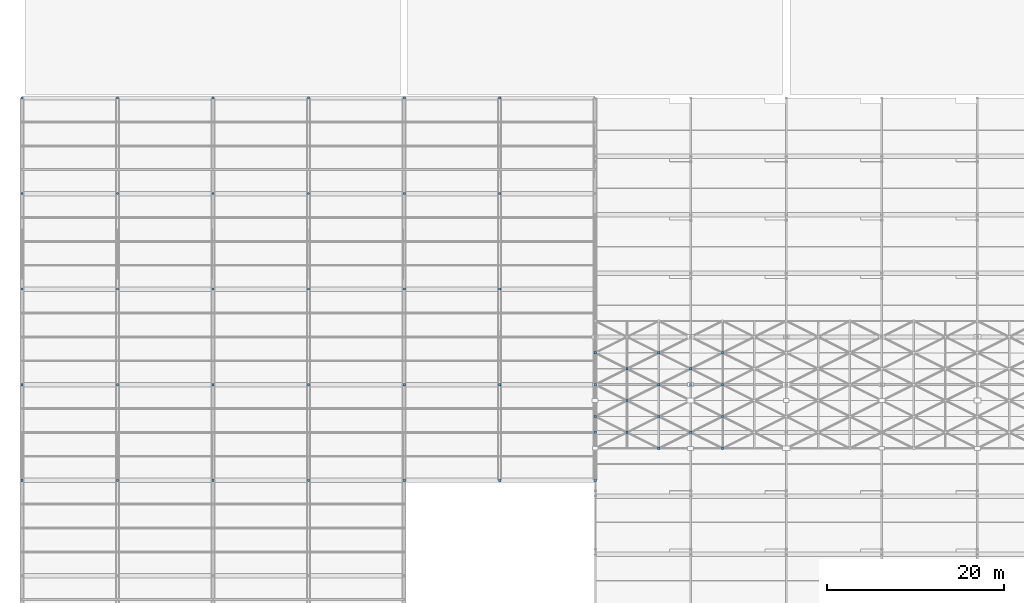
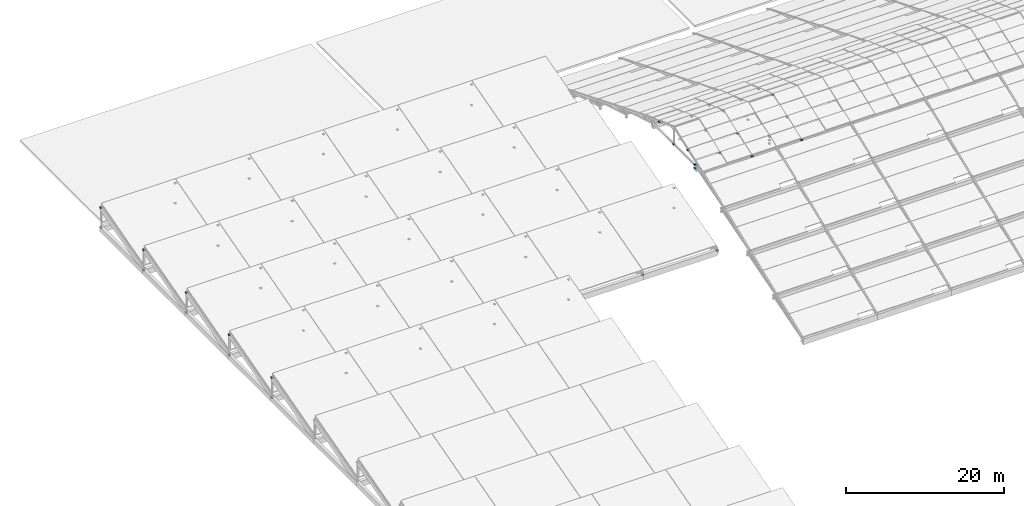
# One storey, part 107 of 112: 83 discrete accessories.
"""IFC4 building model written with IfcOpenShell, lengths in metres."""

from ifc_helpers import new_model, si_unit, direction, frame, origin, origin_2d, place, context, subcontext, project, spatial, rectangle, extrude, material, type_object, element, save


model = new_model("IFC4")

# Units and contexts
model_context = context("Model", 3, precision=1e-05, world=origin(), true_north=direction((0.0, 1.0)))
body_context = subcontext(model_context, "Body", "Model", "MODEL_VIEW")
ifc_project = project(units=[si_unit("LENGTHUNIT", "METRE"), si_unit("AREAUNIT", "SQUARE_METRE"), si_unit("VOLUMEUNIT", "CUBIC_METRE"), si_unit("PLANEANGLEUNIT", "RADIAN"), si_unit("MASSUNIT", "GRAM", prefix="KILO")], contexts=[model_context])

# Site, building, storey
site_placement = place(None, origin())
site = spatial("IfcSite", under=ifc_project, at=site_placement, CompositionType="ELEMENT")
building_placement = place(site_placement, origin())
building = spatial("IfcBuilding", under=site, at=building_placement, Name="Zwinboog Wholesale Market", CompositionType="ELEMENT")
storey_placement = place(building_placement, frame((0.0, 0.0, 19.080078125)))
storey = spatial("IfcBuildingStorey", under=building, at=storey_placement, Name="Roof", CompositionType="ELEMENT", Elevation=19.080078125)

# Discrete accessories
ifc_material = material(Name="Steel S355", Category="steel")
discrete_accessory_type = type_object("IfcDiscreteAccessoryType", Name="ACC-BRK-S355", PredefinedType="BRACKET", material=ifc_material)
for number, where, z_axis, x_axis, name in (
    (1, (64.800048828125, 70.199951171875, 0.14013671875), (0.0, 0.0, 1.0), (1.0, 0.0, 0.0), "BK-01 (ACC-BRC-0015)"),
    (2, (64.800048828125, 70.199951171875, 0.64013671875), (0.0, 0.0, 1.0), (1.0, 0.0, 0.0), "BK-01 (ACC-BRC-0016)"),
    (3, (64.800048828125, 75.60009765625, 0.5400390625), (0.0, 0.0, 1.0), (1.0, 0.0, 0.0), "BK-01 (ACC-BRC-0033)"),
    (4, (75.60009765625, 70.199951171875, 0.14013671875), (0.0, 0.0, 1.0), (1.0, 0.0, 0.0), "BK-01 (ACC-BRC-0048)"),
    (5, (75.60009765625, 70.199951171875, 0.64013671875), (0.0, 0.0, 1.0), (1.0, 0.0, 0.0), "BK-01 (ACC-BRC-0049)"),
    (6, (75.60009765625, 75.60009765625, 0.5400390625), (0.0, 0.0, 1.0), (1.0, 0.0, 0.0), "BK-01 (ACC-BRC-0066)"),
    (7, (68.39990234375, 70.199951171875, 1.1875), (0.0, 0.0, 1.0), (1.0, 0.0, 0.0), "BK-01 (ACC-BRC-0365)"),
    (8, (64.800048828125, 72.0, 1.8251953125), (0.0, 0.0, 1.0), (1.0, 0.0, 0.0), "BK-01 (ACC-BRC-0366)"),
    (9, (68.39990234375, 73.800048828125, 2.46240234375), (0.0, 0.0, 1.0), (1.0, 0.0, 0.0), "BK-01 (ACC-BRC-0367)"),
    (10, (68.39990234375, 77.39990234375, 2.46240234375), (0.0, 0.0, 1.0), (1.0, 0.0, 0.0), "BK-01 (ACC-BRC-0368)"),
    (11, (64.800048828125, 79.199951171875, 1.8251953125), (0.0, 0.0, 1.0), (1.0, 0.0, 0.0), "BK-01 (ACC-BRC-0369)"),
    (12, (72.0, 68.39990234375, 0.5498046875), (0.0, 0.0, 1.0), (1.0, 0.0, 0.0), "BK-01 (ACC-BRC-0372)"),
    (13, (72.0, 72.0, 1.8251953125), (0.0, 0.0, 1.0), (1.0, 0.0, 0.0), "BK-01 (ACC-BRC-0373)"),
    (14, (72.0, 75.60009765625, 3.10009765625), (0.0, 0.0, 1.0), (1.0, 0.0, 0.0), "BK-01 (ACC-BRC-0374)"),
    (15, (72.0, 79.199951171875, 1.8251953125), (0.0, 0.0, 1.0), (1.0, 0.0, 0.0), "BK-01 (ACC-BRC-0375)"),
    (16, (75.60009765625, 70.199951171875, 1.1875), (0.0, 0.0, 1.0), (1.0, 0.0, 0.0), "BK-01 (ACC-BRC-0377)"),
    (17, (75.60009765625, 77.39990234375, 2.46240234375), (0.0, 0.0, 1.0), (1.0, 0.0, 0.0), "BK-01 (ACC-BRC-0378)"),
    (18, (79.199951171875, 68.39990234375, 0.5498046875), (0.0, 0.0, 1.0), (1.0, 0.0, 0.0), "BK-01 (ACC-BRC-0379)"),
    (19, (79.199951171875, 72.0, 1.8251953125), (0.0, 0.0, 1.0), (1.0, 0.0, 0.0), "BK-01 (ACC-BRC-0380)"),
    (20, (79.199951171875, 75.60009765625, 3.10009765625), (0.0, 0.0, 1.0), (1.0, 0.0, 0.0), "BK-01 (ACC-BRC-0381)"),
    (21, (79.199951171875, 79.199951171875, 1.8251953125), (0.0, 0.0, 1.0), (1.0, 0.0, 0.0), "BK-01 (ACC-BRC-0382)"),
    (22, (0.0, 64.800048828125, -9.2802734375), (0.0, 0.0, 1.0), (1.0, 0.0, 0.0), "BK-01 (ACC-BRC-0539)"),
    (23, (0.0, 64.800048828125, -6.20556640625), (0.0, 0.0, 1.0), (1.0, 0.0, 0.0), "BK-01 (ACC-BRC-0540)"),
    (24, (10.800048828125, 64.800048828125, -9.2802734375), (0.0, 0.0, 1.0), (1.0, 0.0, 0.0), "BK-01 (ACC-BRC-0541)"),
    (25, (10.800048828125, 64.800048828125, -6.193359375), (0.0, 0.0, 1.0), (1.0, 0.0, 0.0), "BK-01 (ACC-BRC-0542)"),
    (26, (21.60009765625, 64.800048828125, -9.2802734375), (0.0, 0.0, 1.0), (1.0, 0.0, 0.0), "BK-01 (ACC-BRC-0543)"),
    (27, (21.60009765625, 64.800048828125, -6.20556640625), (0.0, 0.0, 1.0), (1.0, 0.0, 0.0), "BK-01 (ACC-BRC-0544)"),
    (28, (32.39990234375, 64.800048828125, -9.2802734375), (0.0, 0.0, 1.0), (1.0, 0.0, 0.0), "BK-01 (ACC-BRC-0545)"),
    (29, (32.39990234375, 64.800048828125, -6.193359375), (0.0, 0.0, 1.0), (1.0, 0.0, 0.0), "BK-01 (ACC-BRC-0546)"),
    (30, (43.199951171875, 64.800048828125, -9.2802734375), (0.0, 0.0, 1.0), (1.0, 0.0, 0.0), "BK-01 (ACC-BRC-0547)"),
    (31, (43.199951171875, 64.800048828125, -6.193359375), (0.0, 0.0, 1.0), (1.0, 0.0, 0.0), "BK-01 (ACC-BRC-0548)"),
    (32, (0.0, 75.60009765625, -9.2802734375), (0.0, 0.0, 1.0), (1.0, 0.0, 0.0), "BK-01 (ACC-BRC-0549)"),
    (33, (0.0, 75.60009765625, -6.1455078125), (0.0, 0.0, 1.0), (1.0, 0.0, 0.0), "BK-01 (ACC-BRC-0550)"),
    (34, (10.800048828125, 75.60009765625, -9.2802734375), (0.0, 0.0, 1.0), (1.0, 0.0, 0.0), "BK-01 (ACC-BRC-0551)"),
    (35, (10.800048828125, 75.60009765625, -6.13330078125), (0.0, 0.0, 1.0), (1.0, 0.0, 0.0), "BK-01 (ACC-BRC-0552)"),
    (36, (21.60009765625, 75.60009765625, -9.2802734375), (0.0, 0.0, 1.0), (1.0, 0.0, 0.0), "BK-01 (ACC-BRC-0553)"),
    (37, (21.60009765625, 75.60009765625, -6.1455078125), (0.0, 0.0, 1.0), (1.0, 0.0, 0.0), "BK-01 (ACC-BRC-0554)"),
    (38, (32.39990234375, 75.60009765625, -9.2802734375), (0.0, 0.0, 1.0), (1.0, 0.0, 0.0), "BK-01 (ACC-BRC-0555)"),
    (39, (32.39990234375, 75.60009765625, -6.13330078125), (0.0, 0.0, 1.0), (1.0, 0.0, 0.0), "BK-01 (ACC-BRC-0556)"),
    (40, (43.199951171875, 75.60009765625, -9.2802734375), (0.0, 0.0, 1.0), (1.0, 0.0, 0.0), "BK-01 (ACC-BRC-0557)"),
    (41, (43.199951171875, 75.60009765625, -6.13330078125), (0.0, 0.0, 1.0), (1.0, 0.0, 0.0), "BK-01 (ACC-BRC-0558)"),
    (42, (0.0, 86.39990234375, -9.2802734375), (0.0, 0.0, 1.0), (1.0, 0.0, 0.0), "BK-01 (ACC-BRC-0559)"),
    (43, (0.0, 86.39990234375, -6.20556640625), (0.0, 0.0, 1.0), (1.0, 0.0, 0.0), "BK-01 (ACC-BRC-0560)"),
    (44, (10.800048828125, 86.39990234375, -9.2802734375), (0.0, 0.0, 1.0), (1.0, 0.0, 0.0), "BK-01 (ACC-BRC-0561)"),
    (45, (10.800048828125, 86.39990234375, -6.193359375), (0.0, 0.0, 1.0), (1.0, 0.0, 0.0), "BK-01 (ACC-BRC-0562)"),
    (46, (21.60009765625, 86.39990234375, -9.2802734375), (0.0, 0.0, 1.0), (1.0, 0.0, 0.0), "BK-01 (ACC-BRC-0563)"),
    (47, (21.60009765625, 86.39990234375, -6.20556640625), (0.0, 0.0, 1.0), (1.0, 0.0, 0.0), "BK-01 (ACC-BRC-0564)"),
    (48, (32.39990234375, 86.39990234375, -9.2802734375), (0.0, 0.0, 1.0), (1.0, 0.0, 0.0), "BK-01 (ACC-BRC-0565)"),
    (49, (32.39990234375, 86.39990234375, -6.193359375), (0.0, 0.0, 1.0), (1.0, 0.0, 0.0), "BK-01 (ACC-BRC-0566)"),
    (50, (43.199951171875, 86.39990234375, -9.2802734375), (0.0, 0.0, 1.0), (1.0, 0.0, 0.0), "BK-01 (ACC-BRC-0567)"),
    (51, (43.199951171875, 86.39990234375, -6.193359375), (0.0, 0.0, 1.0), (1.0, 0.0, 0.0), "BK-01 (ACC-BRC-0568)"),
    (52, (0.0, 97.199951171875, -9.2802734375), (0.0, 0.0, 1.0), (1.0, 0.0, 0.0), "BK-01 (ACC-BRC-0569)"),
    (53, (0.0, 97.199951171875, -6.1455078125), (0.0, 0.0, 1.0), (1.0, 0.0, 0.0), "BK-01 (ACC-BRC-0570)"),
    (54, (10.800048828125, 97.199951171875, -9.2802734375), (0.0, 0.0, 1.0), (1.0, 0.0, 0.0), "BK-01 (ACC-BRC-0571)"),
    (55, (10.800048828125, 97.199951171875, -6.13330078125), (0.0, 0.0, 1.0), (1.0, 0.0, 0.0), "BK-01 (ACC-BRC-0572)"),
    (56, (21.60009765625, 97.199951171875, -9.2802734375), (0.0, 0.0, 1.0), (1.0, 0.0, 0.0), "BK-01 (ACC-BRC-0573)"),
    (57, (21.60009765625, 97.199951171875, -6.1455078125), (0.0, 0.0, 1.0), (1.0, 0.0, 0.0), "BK-01 (ACC-BRC-0574)"),
    (58, (32.39990234375, 97.199951171875, -9.2802734375), (0.0, 0.0, 1.0), (1.0, 0.0, 0.0), "BK-01 (ACC-BRC-0575)"),
    (59, (32.39990234375, 97.199951171875, -6.13330078125), (0.0, 0.0, 1.0), (1.0, 0.0, 0.0), "BK-01 (ACC-BRC-0576)"),
    (60, (43.199951171875, 97.199951171875, -9.2802734375), (0.0, 0.0, 1.0), (1.0, 0.0, 0.0), "BK-01 (ACC-BRC-0577)"),
    (61, (43.199951171875, 97.199951171875, -6.13330078125), (0.0, 0.0, 1.0), (1.0, 0.0, 0.0), "BK-01 (ACC-BRC-0578)"),
    (62, (0.0, 108.0, -9.2802734375), (0.0, 0.0, 1.0), (1.0, 0.0, 0.0), "BK-01 (ACC-BRC-0579)"),
    (63, (0.0, 108.0, -6.20556640625), (0.0, 0.0, 1.0), (1.0, 0.0, 0.0), "BK-01 (ACC-BRC-0580)"),
    (64, (10.800048828125, 108.0, -9.2802734375), (0.0, 0.0, 1.0), (1.0, 0.0, 0.0), "BK-01 (ACC-BRC-0581)"),
    (65, (10.800048828125, 108.0, -6.193359375), (0.0, 0.0, 1.0), (1.0, 0.0, 0.0), "BK-01 (ACC-BRC-0582)"),
    (66, (21.60009765625, 108.0, -9.2802734375), (0.0, 0.0, 1.0), (1.0, 0.0, 0.0), "BK-01 (ACC-BRC-0583)"),
    (67, (21.60009765625, 108.0, -6.20556640625), (0.0, 0.0, 1.0), (1.0, 0.0, 0.0), "BK-01 (ACC-BRC-0584)"),
    (68, (32.39990234375, 108.0, -9.2802734375), (0.0, 0.0, 1.0), (1.0, 0.0, 0.0), "BK-01 (ACC-BRC-0585)"),
    (69, (32.39990234375, 108.0, -6.193359375), (0.0, 0.0, 1.0), (1.0, 0.0, 0.0), "BK-01 (ACC-BRC-0586)"),
    (70, (43.199951171875, 108.0, -9.2802734375), (0.0, 0.0, 1.0), (1.0, 0.0, 0.0), "BK-01 (ACC-BRC-0587)"),
    (71, (43.199951171875, 108.0, -6.193359375), (0.0, 0.0, 1.0), (1.0, 0.0, 0.0), "BK-01 (ACC-BRC-0588)"),
    (72, (54.0, 64.800048828125, -9.2802734375), (0.0, 0.0, 1.0), (1.0, 0.0, 0.0), "BK-01 (ACC-BRC-0589)"),
    (73, (54.0, 75.60009765625, -9.2802734375), (0.0, 0.0, 1.0), (1.0, 0.0, 0.0), "BK-01 (ACC-BRC-0590)"),
    (74, (54.0, 75.60009765625, -6.193359375), (0.0, 0.0, 1.0), (1.0, 0.0, 0.0), "BK-01 (ACC-BRC-0591)"),
    (75, (64.800048828125, 64.800048828125, -9.2802734375), (0.0, 0.0, 1.0), (1.0, 0.0, 0.0), "BK-01 (ACC-BRC-0592)"),
    (76, (64.800048828125, 75.60009765625, -9.2802734375), (0.0, 0.0, 1.0), (1.0, 0.0, 0.0), "BK-01 (ACC-BRC-0593)"),
    (77, (64.800048828125, 75.60009765625, -6.193359375), (0.0, 0.0, 1.0), (1.0, 0.0, 0.0), "BK-01 (ACC-BRC-0594)"),
    (78, (54.0, 86.39990234375, -9.2802734375), (0.0, 0.0, 1.0), (1.0, 0.0, 0.0), "BK-01 (ACC-BRC-0595)"),
    (79, (54.0, 86.39990234375, -6.13330078125), (0.0, 0.0, 1.0), (1.0, 0.0, 0.0), "BK-01 (ACC-BRC-0596)"),
    (80, (54.0, 97.199951171875, -9.2802734375), (0.0, 0.0, 1.0), (1.0, 0.0, 0.0), "BK-01 (ACC-BRC-0599)"),
    (81, (54.0, 97.199951171875, -6.193359375), (0.0, 0.0, 1.0), (1.0, 0.0, 0.0), "BK-01 (ACC-BRC-0600)"),
    (82, (54.0, 108.0, -9.2802734375), (0.0, 0.0, 1.0), (1.0, 0.0, 0.0), "BK-01 (ACC-BRC-0603)"),
    (83, (54.0, 108.0, -6.13330078125), (0.0, 0.0, 1.0), (1.0, 0.0, 0.0), "BK-01 (ACC-BRC-0604)"),
):
    element("IfcDiscreteAccessory", number, at=place(storey_placement, frame(where, z_axis=z_axis, x_axis=x_axis)), inside=storey, type_object=discrete_accessory_type, Name=name, PredefinedType="BRACKET", context=body_context, shape_type="SweptSolid", body=[
        extrude(rectangle(XDim=0.260009765625, YDim=0.260009765625, at=origin_2d()), origin(), (0.0, 0.0, 1.0), 0.159912109375),
    ])

save(model, "model.ifc")
